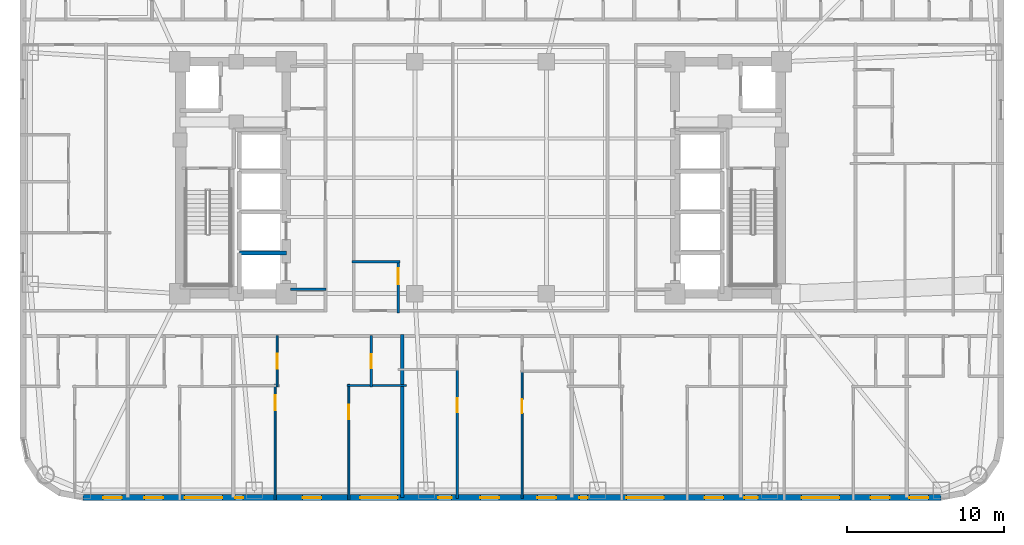
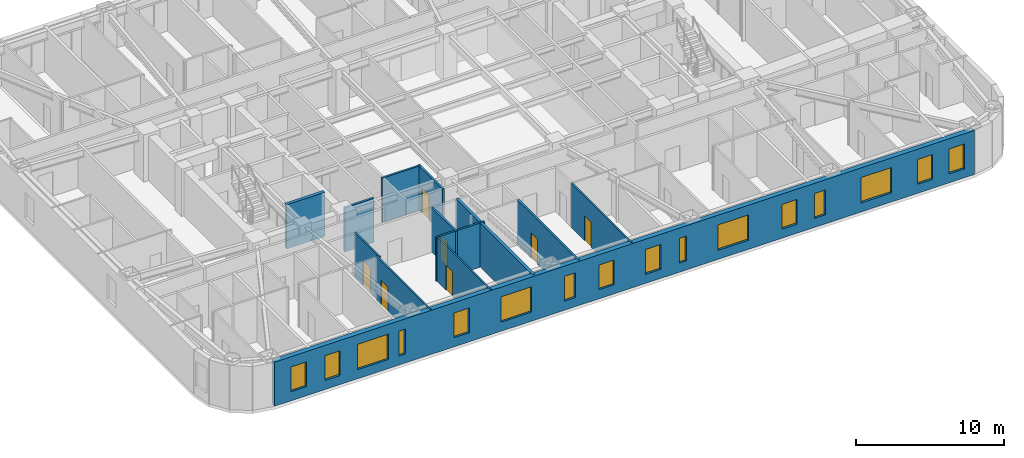
# One storey, part 3 of 12: 16 windows, 13 walls, 7 doors, 23 openings.
"""IFC4 building model written with IfcOpenShell, lengths in metres."""

from ifc_helpers import new_model, si_unit, direction, frame, frame_2d, origin, place, context, subcontext, project, spatial, rectangle, extrude, material, layer, layer_set, type_object, element, fill, save


model = new_model("IFC4")

# Units and contexts
model_context = context("Model", 3, precision=1e-05, world=origin(), true_north=direction((0.0, 1.0)))
body_context = subcontext(model_context, "Body", "Model", "MODEL_VIEW")
ifc_project = project(units=[si_unit("LENGTHUNIT", "METRE"), si_unit("AREAUNIT", "SQUARE_METRE"), si_unit("VOLUMEUNIT", "CUBIC_METRE"), si_unit("PLANEANGLEUNIT", "RADIAN"), si_unit("MASSUNIT", "GRAM", prefix="KILO")], contexts=[model_context])

# Site, building, storey
site_placement = place(None, origin())
site = spatial("IfcSite", under=ifc_project, at=site_placement, CompositionType="ELEMENT")
building_placement = place(site_placement, origin())
building = spatial("IfcBuilding", under=site, at=building_placement, Name="Voryun Gate Residences", CompositionType="ELEMENT")
storey_placement = place(building_placement, frame((0.0, 0.0, 101.39990234375)))
storey = spatial("IfcBuildingStorey", under=building, at=storey_placement, Name="L24", CompositionType="ELEMENT", Elevation=101.39990234375)

# Wall
ifc_material_1 = material(Name="Gypsum acoustic fireboard")
ifc_layer_1 = layer(ifc_material_1, 0.179931640625, Name="W_CORR_RATED_180")
ifc_layer_set_1 = layer_set([ifc_layer_1], Name="Gypsum acoustic fireboard")
wall_type_1 = type_object("IfcWallType", Name="W_CORR_RATED_180", PredefinedType="PARTITIONING", material=ifc_layer_set_1)
wall_1_placement = place(storey_placement, frame((-12.14990234375, -7.1201171875, 0.0), z_axis=(0.0, 0.0, 1.0), x_axis=(1.0, 0.0, 0.0)))
element("IfcWall", 1, at=wall_1_placement, inside=storey, type_object=wall_type_1, Name="Partition wall WP-L24-PLBS-W", PredefinedType="PARTITIONING", context=body_context, shape_type="SweptSolid", body=[
    extrude(rectangle(XDim=2.27001953125, YDim=0.179931640625, at=frame_2d((1.135009765625, 0.0))), origin(), (0.0, 0.0, 1.0), 3.650146484375),
])

# Wall, openings, windows
ifc_material_2 = material(Name="Granite masonry", Category="masonry")
ifc_layer_2 = layer(ifc_material_2, 0.3798828125, Name="W_EXT_GRANITE_380")
ifc_layer_set_2 = layer_set([ifc_layer_2], Name="Granite masonry")
wall_type_2 = type_object("IfcWallType", Name="W_EXT_GRANITE_380", PredefinedType="ELEMENTEDWALL", material=ifc_layer_set_2)
wall_2_placement = place(storey_placement, frame((29.38134765625, -20.409912109375, 0.0), z_axis=(0.0, 0.0, 1.0), x_axis=(-1.0, 0.0, 0.0)))
wall_2 = element("IfcWall", 2, at=wall_2_placement, inside=storey, type_object=wall_type_2, Name="Exterior wall WEXT-L24-01", PredefinedType="ELEMENTEDWALL", context=body_context, shape_type="SweptSolid", body=[
    extrude(rectangle(XDim=54.7626953125, YDim=0.3798828125, at=frame_2d((27.38134765625, 0.0))), origin(), (0.0, 0.0, 1.0), 3.650146484375),
])
opening_1_placement = place(wall_2_placement, frame((6.495361328125, 0.0, 0.75)))
opening_1 = element("IfcOpeningElement", 3, at=opening_1_placement, cuts=wall_2, Name="Opening WN2", PredefinedType="OPENING", context=body_context, shape_type="SweptSolid", body=[
    extrude(rectangle(XDim=2.39990234375, YDim=2.10009765625, at=frame_2d((1.199951171875, 1.050048828125))), frame((0.0, 0.199951171875, 0.0), z_axis=(0.0, -1.0, 0.0), x_axis=(1.0, 0.0, 0.0)), (0.0, 0.0, 1.0), 0.39990234375),
])
opening_2_placement = place(wall_2_placement, frame((17.68603515625, 0.0, 0.75)))
opening_2 = element("IfcOpeningElement", 4, at=opening_2_placement, cuts=wall_2, Name="Opening WN2", PredefinedType="OPENING", context=body_context, shape_type="SweptSolid", body=[
    extrude(rectangle(XDim=2.39990234375, YDim=2.10009765625, at=frame_2d((1.199951171875, 1.050048828125))), frame((0.0, 0.199951171875, 0.0), z_axis=(0.0, -1.0, 0.0), x_axis=(1.0, 0.0, 0.0)), (0.0, 0.0, 1.0), 0.39990234375),
])
opening_3_placement = place(wall_2_placement, frame((34.676513671875, 0.0, 0.75)))
opening_3 = element("IfcOpeningElement", 5, at=opening_3_placement, cuts=wall_2, Name="Opening WN2", PredefinedType="OPENING", context=body_context, shape_type="SweptSolid", body=[
    extrude(rectangle(XDim=2.39990234375, YDim=2.10009765625, at=frame_2d((1.199951171875, 1.050048828125))), frame((0.0, 0.199951171875, 0.0), z_axis=(0.0, -1.0, 0.0), x_axis=(1.0, 0.0, 0.0)), (0.0, 0.0, 1.0), 0.39990234375),
])
opening_4_placement = place(wall_2_placement, frame((45.8671875, 0.0, 0.75)))
opening_4 = element("IfcOpeningElement", 6, at=opening_4_placement, cuts=wall_2, Name="Opening WN2", PredefinedType="OPENING", context=body_context, shape_type="SweptSolid", body=[
    extrude(rectangle(XDim=2.39990234375, YDim=2.10009765625, at=frame_2d((1.199951171875, 1.050048828125))), frame((0.0, 0.199951171875, 0.0), z_axis=(0.0, -1.0, 0.0), x_axis=(1.0, 0.0, 0.0)), (0.0, 0.0, 1.0), 0.39990234375),
])
opening_5_placement = place(wall_2_placement, frame((52.281494140625, 0.0, 0.75)))
opening_5 = element("IfcOpeningElement", 7, at=opening_5_placement, cuts=wall_2, Name="Opening WN6", PredefinedType="OPENING", context=body_context, shape_type="SweptSolid", body=[
    extrude(rectangle(XDim=1.199951171875, YDim=2.050048828125, at=frame_2d((0.60009765625, 1.02490234375))), frame((0.0, 0.199951171875, 0.0), z_axis=(0.0, -1.0, 0.0), x_axis=(1.0, 0.0, 0.0)), (0.0, 0.0, 1.0), 0.39990234375),
])
opening_6_placement = place(wall_2_placement, frame((49.640869140625, 0.0, 0.75)))
opening_6 = element("IfcOpeningElement", 8, at=opening_6_placement, cuts=wall_2, Name="Opening WN6", PredefinedType="OPENING", context=body_context, shape_type="SweptSolid", body=[
    extrude(rectangle(XDim=1.199951171875, YDim=2.050048828125, at=frame_2d((0.60009765625, 1.02490234375))), frame((0.0, 0.199951171875, 0.0), z_axis=(0.0, -1.0, 0.0), x_axis=(1.0, 0.0, 0.0)), (0.0, 0.0, 1.0), 0.39990234375),
])
opening_7_placement = place(wall_2_placement, frame((39.542724609375, 0.0, 0.75)))
opening_7 = element("IfcOpeningElement", 9, at=opening_7_placement, cuts=wall_2, Name="Opening WN6", PredefinedType="OPENING", context=body_context, shape_type="SweptSolid", body=[
    extrude(rectangle(XDim=1.199951171875, YDim=2.050048828125, at=frame_2d((0.60009765625, 1.02490234375))), frame((0.0, 0.199951171875, 0.0), z_axis=(0.0, -1.0, 0.0), x_axis=(1.0, 0.0, 0.0)), (0.0, 0.0, 1.0), 0.39990234375),
])
opening_8_placement = place(wall_2_placement, frame((44.537841796875, 0.0, 0.75)))
opening_8 = element("IfcOpeningElement", 10, at=opening_8_placement, cuts=wall_2, Name="Opening WN10", PredefinedType="OPENING", context=body_context, shape_type="SweptSolid", body=[
    extrude(rectangle(XDim=0.52001953125, YDim=2.050048828125, at=frame_2d((0.260009765625, 1.02490234375))), frame((0.0, 0.199951171875, 0.0), z_axis=(0.0, -1.0, 0.0), x_axis=(1.0, 0.0, 0.0)), (0.0, 0.0, 1.0), 0.39990234375),
])
opening_9_placement = place(wall_2_placement, frame((28.206298828125, 0.0, 0.75)))
opening_9 = element("IfcOpeningElement", 11, at=opening_9_placement, cuts=wall_2, Name="Opening WN6", PredefinedType="OPENING", context=body_context, shape_type="SweptSolid", body=[
    extrude(rectangle(XDim=1.199951171875, YDim=2.050048828125, at=frame_2d((0.60009765625, 1.02490234375))), frame((0.0, 0.199951171875, 0.0), z_axis=(0.0, -1.0, 0.0), x_axis=(1.0, 0.0, 0.0)), (0.0, 0.0, 1.0), 0.39990234375),
])
opening_10_placement = place(wall_2_placement, frame((31.2412109375, 0.0, 0.75)))
opening_10 = element("IfcOpeningElement", 12, at=opening_10_placement, cuts=wall_2, Name="Opening WN9", PredefinedType="OPENING", context=body_context, shape_type="SweptSolid", body=[
    extrude(rectangle(XDim=0.85009765625, YDim=2.050048828125, at=frame_2d((0.425048828125, 1.02490234375))), frame((0.0, 0.199951171875, 0.0), z_axis=(0.0, -1.0, 0.0), x_axis=(1.0, 0.0, 0.0)), (0.0, 0.0, 1.0), 0.39990234375),
])
opening_11_placement = place(wall_2_placement, frame((24.561279296875, 0.0, 0.75)))
opening_11 = element("IfcOpeningElement", 13, at=opening_11_placement, cuts=wall_2, Name="Opening WN6", PredefinedType="OPENING", context=body_context, shape_type="SweptSolid", body=[
    extrude(rectangle(XDim=1.199951171875, YDim=2.050048828125, at=frame_2d((0.60009765625, 1.02490234375))), frame((0.0, 0.199951171875, 0.0), z_axis=(0.0, -1.0, 0.0), x_axis=(1.0, 0.0, 0.0)), (0.0, 0.0, 1.0), 0.39990234375),
])
opening_12_placement = place(wall_2_placement, frame((22.561279296875, 0.0, 0.75)))
opening_12 = element("IfcOpeningElement", 14, at=opening_12_placement, cuts=wall_2, Name="Opening WN10", PredefinedType="OPENING", context=body_context, shape_type="SweptSolid", body=[
    extrude(rectangle(XDim=0.52001953125, YDim=2.050048828125, at=frame_2d((0.260009765625, 1.02490234375))), frame((0.0, 0.199951171875, 0.0), z_axis=(0.0, -1.0, 0.0), x_axis=(1.0, 0.0, 0.0)), (0.0, 0.0, 1.0), 0.39990234375),
])
opening_13_placement = place(wall_2_placement, frame((13.88623046875, 0.0, 0.75)))
opening_13 = element("IfcOpeningElement", 15, at=opening_13_placement, cuts=wall_2, Name="Opening WN6", PredefinedType="OPENING", context=body_context, shape_type="SweptSolid", body=[
    extrude(rectangle(XDim=1.199951171875, YDim=2.050048828125, at=frame_2d((0.60009765625, 1.02490234375))), frame((0.0, 0.199951171875, 0.0), z_axis=(0.0, -1.0, 0.0), x_axis=(1.0, 0.0, 0.0)), (0.0, 0.0, 1.0), 0.39990234375),
])
opening_14_placement = place(wall_2_placement, frame((11.6943359375, 0.0, 0.75)))
opening_14 = element("IfcOpeningElement", 16, at=opening_14_placement, cuts=wall_2, Name="Opening WN9", PredefinedType="OPENING", context=body_context, shape_type="SweptSolid", body=[
    extrude(rectangle(XDim=0.85009765625, YDim=2.050048828125, at=frame_2d((0.425048828125, 1.02490234375))), frame((0.0, 0.199951171875, 0.0), z_axis=(0.0, -1.0, 0.0), x_axis=(1.0, 0.0, 0.0)), (0.0, 0.0, 1.0), 0.39990234375),
])
opening_15_placement = place(wall_2_placement, frame((3.286376953125, 0.0, 0.75)))
opening_15 = element("IfcOpeningElement", 17, at=opening_15_placement, cuts=wall_2, Name="Opening WN6", PredefinedType="OPENING", context=body_context, shape_type="SweptSolid", body=[
    extrude(rectangle(XDim=1.199951171875, YDim=2.050048828125, at=frame_2d((0.60009765625, 1.02490234375))), frame((0.0, 0.199951171875, 0.0), z_axis=(0.0, -1.0, 0.0), x_axis=(1.0, 0.0, 0.0)), (0.0, 0.0, 1.0), 0.39990234375),
])
opening_16_placement = place(wall_2_placement, frame((0.815673828125, 0.0, 0.75)))
opening_16 = element("IfcOpeningElement", 18, at=opening_16_placement, cuts=wall_2, Name="Opening WN6", PredefinedType="OPENING", context=body_context, shape_type="SweptSolid", body=[
    extrude(rectangle(XDim=1.199951171875, YDim=2.050048828125, at=frame_2d((0.60009765625, 1.02490234375))), frame((0.0, 0.199951171875, 0.0), z_axis=(0.0, -1.0, 0.0), x_axis=(1.0, 0.0, 0.0)), (0.0, 0.0, 1.0), 0.39990234375),
])
ifc_material_3 = material(Name="Laminated low-E glass", Category="glass")
window_type_1 = type_object("IfcWindowType", Name="WN_PAGODA_LANCET_520", PartitioningType="SINGLE_PANEL", PredefinedType="WINDOW", material=ifc_material_3)
window_1_placement = place(opening_8_placement, origin())
window_1 = element("IfcWindow", 19, at=window_1_placement, inside=storey, type_object=window_type_1, Name="Window WN-L24-DWFIX-20", OverallHeight=2.050048828125, OverallWidth=0.52001953125, PartitioningType="SINGLE_PANEL", PredefinedType="WINDOW", context=body_context, shape_type="SweptSolid", body=[
    extrude(rectangle(XDim=0.52001953125, YDim=2.050048828125, at=frame_2d((0.260009765625, 1.02490234375))), frame((0.0, 0.030029296875, 0.0), z_axis=(0.0, -1.0, 0.0), x_axis=(1.0, 0.0, 0.0)), (0.0, 0.0, 1.0), 0.06005859375),
])
fill(opening_8, window_1)
window_2_placement = place(opening_12_placement, origin())
window_2 = element("IfcWindow", 20, at=window_2_placement, inside=storey, type_object=window_type_1, Name="Window WN-L24-DWFIX-24", OverallHeight=2.050048828125, OverallWidth=0.52001953125, PartitioningType="SINGLE_PANEL", PredefinedType="WINDOW", context=body_context, shape_type="SweptSolid", body=[
    extrude(rectangle(XDim=0.52001953125, YDim=2.050048828125, at=frame_2d((0.260009765625, 1.02490234375))), frame((0.0, 0.030029296875, 0.0), z_axis=(0.0, -1.0, 0.0), x_axis=(1.0, 0.0, 0.0)), (0.0, 0.0, 1.0), 0.06005859375),
])
fill(opening_12, window_2)
ifc_material_4 = material(Name="Laminated low-E glass", Category="glass")
window_type_2 = type_object("IfcWindowType", Name="WN_POD_SLOT_1200", PartitioningType="SINGLE_PANEL", PredefinedType="WINDOW", material=ifc_material_4)
window_3_placement = place(opening_5_placement, origin())
window_3 = element("IfcWindow", 21, at=window_3_placement, inside=storey, type_object=window_type_2, Name="Window WN-L24-DWFIX-17", OverallHeight=2.050048828125, OverallWidth=1.199951171875, PartitioningType="SINGLE_PANEL", PredefinedType="WINDOW", context=body_context, shape_type="SweptSolid", body=[
    extrude(rectangle(XDim=1.199951171875, YDim=2.050048828125, at=frame_2d((0.60009765625, 1.02490234375))), frame((0.0, 0.030029296875, 0.0), z_axis=(0.0, -1.0, 0.0), x_axis=(1.0, 0.0, 0.0)), (0.0, 0.0, 1.0), 0.06005859375),
])
fill(opening_5, window_3)
window_4_placement = place(opening_6_placement, origin())
window_4 = element("IfcWindow", 22, at=window_4_placement, inside=storey, type_object=window_type_2, Name="Window WN-L24-DWFIX-18", OverallHeight=2.050048828125, OverallWidth=1.199951171875, PartitioningType="SINGLE_PANEL", PredefinedType="WINDOW", context=body_context, shape_type="SweptSolid", body=[
    extrude(rectangle(XDim=1.199951171875, YDim=2.050048828125, at=frame_2d((0.60009765625, 1.02490234375))), frame((0.0, 0.030029296875, 0.0), z_axis=(0.0, -1.0, 0.0), x_axis=(1.0, 0.0, 0.0)), (0.0, 0.0, 1.0), 0.06005859375),
])
fill(opening_6, window_4)
window_5_placement = place(opening_7_placement, origin())
window_5 = element("IfcWindow", 23, at=window_5_placement, inside=storey, type_object=window_type_2, Name="Window WN-L24-DWFIX-19", OverallHeight=2.050048828125, OverallWidth=1.199951171875, PartitioningType="SINGLE_PANEL", PredefinedType="WINDOW", context=body_context, shape_type="SweptSolid", body=[
    extrude(rectangle(XDim=1.199951171875, YDim=2.050048828125, at=frame_2d((0.60009765625, 1.02490234375))), frame((0.0, 0.030029296875, 0.0), z_axis=(0.0, -1.0, 0.0), x_axis=(1.0, 0.0, 0.0)), (0.0, 0.0, 1.0), 0.06005859375),
])
fill(opening_7, window_5)
window_6_placement = place(opening_9_placement, origin())
window_6 = element("IfcWindow", 24, at=window_6_placement, inside=storey, type_object=window_type_2, Name="Window WN-L24-DWFIX-21", OverallHeight=2.050048828125, OverallWidth=1.199951171875, PartitioningType="SINGLE_PANEL", PredefinedType="WINDOW", context=body_context, shape_type="SweptSolid", body=[
    extrude(rectangle(XDim=1.199951171875, YDim=2.050048828125, at=frame_2d((0.60009765625, 1.02490234375))), frame((0.0, 0.030029296875, 0.0), z_axis=(0.0, -1.0, 0.0), x_axis=(1.0, 0.0, 0.0)), (0.0, 0.0, 1.0), 0.06005859375),
])
fill(opening_9, window_6)
window_7_placement = place(opening_11_placement, origin())
window_7 = element("IfcWindow", 25, at=window_7_placement, inside=storey, type_object=window_type_2, Name="Window WN-L24-DWFIX-23", OverallHeight=2.050048828125, OverallWidth=1.199951171875, PartitioningType="SINGLE_PANEL", PredefinedType="WINDOW", context=body_context, shape_type="SweptSolid", body=[
    extrude(rectangle(XDim=1.199951171875, YDim=2.050048828125, at=frame_2d((0.60009765625, 1.02490234375))), frame((0.0, 0.030029296875, 0.0), z_axis=(0.0, -1.0, 0.0), x_axis=(1.0, 0.0, 0.0)), (0.0, 0.0, 1.0), 0.06005859375),
])
fill(opening_11, window_7)
window_8_placement = place(opening_13_placement, origin())
window_8 = element("IfcWindow", 26, at=window_8_placement, inside=storey, type_object=window_type_2, Name="Window WN-L24-DWFIX-25", OverallHeight=2.050048828125, OverallWidth=1.199951171875, PartitioningType="SINGLE_PANEL", PredefinedType="WINDOW", context=body_context, shape_type="SweptSolid", body=[
    extrude(rectangle(XDim=1.199951171875, YDim=2.050048828125, at=frame_2d((0.60009765625, 1.02490234375))), frame((0.0, 0.030029296875, 0.0), z_axis=(0.0, -1.0, 0.0), x_axis=(1.0, 0.0, 0.0)), (0.0, 0.0, 1.0), 0.06005859375),
])
fill(opening_13, window_8)
window_9_placement = place(opening_15_placement, origin())
window_9 = element("IfcWindow", 27, at=window_9_placement, inside=storey, type_object=window_type_2, Name="Window WN-L24-DWFIX-27", OverallHeight=2.050048828125, OverallWidth=1.199951171875, PartitioningType="SINGLE_PANEL", PredefinedType="WINDOW", context=body_context, shape_type="SweptSolid", body=[
    extrude(rectangle(XDim=1.199951171875, YDim=2.050048828125, at=frame_2d((0.60009765625, 1.02490234375))), frame((0.0, 0.030029296875, 0.0), z_axis=(0.0, -1.0, 0.0), x_axis=(1.0, 0.0, 0.0)), (0.0, 0.0, 1.0), 0.06005859375),
])
fill(opening_15, window_9)
window_10_placement = place(opening_16_placement, origin())
window_10 = element("IfcWindow", 28, at=window_10_placement, inside=storey, type_object=window_type_2, Name="Window WN-L24-DWFIX-28", OverallHeight=2.050048828125, OverallWidth=1.199951171875, PartitioningType="SINGLE_PANEL", PredefinedType="WINDOW", context=body_context, shape_type="SweptSolid", body=[
    extrude(rectangle(XDim=1.199951171875, YDim=2.050048828125, at=frame_2d((0.60009765625, 1.02490234375))), frame((0.0, 0.030029296875, 0.0), z_axis=(0.0, -1.0, 0.0), x_axis=(1.0, 0.0, 0.0)), (0.0, 0.0, 1.0), 0.06005859375),
])
fill(opening_16, window_10)
ifc_material_5 = material(Name="Laminated low-E glass", Category="glass")
window_type_3 = type_object("IfcWindowType", Name="WN_RES_CASEMENT_850", PartitioningType="SINGLE_PANEL", PredefinedType="WINDOW", material=ifc_material_5)
window_11_placement = place(opening_10_placement, origin())
window_11 = element("IfcWindow", 29, at=window_11_placement, inside=storey, type_object=window_type_3, Name="Window WN-L24-DWFIX-22", OverallHeight=2.050048828125, OverallWidth=0.85009765625, PartitioningType="SINGLE_PANEL", PredefinedType="WINDOW", context=body_context, shape_type="SweptSolid", body=[
    extrude(rectangle(XDim=0.85009765625, YDim=2.050048828125, at=frame_2d((0.425048828125, 1.02490234375))), frame((0.0, 0.030029296875, 0.0), z_axis=(0.0, -1.0, 0.0), x_axis=(1.0, 0.0, 0.0)), (0.0, 0.0, 1.0), 0.06005859375),
])
fill(opening_10, window_11)
window_12_placement = place(opening_14_placement, origin())
window_12 = element("IfcWindow", 30, at=window_12_placement, inside=storey, type_object=window_type_3, Name="Window WN-L24-DWFIX-26", OverallHeight=2.050048828125, OverallWidth=0.85009765625, PartitioningType="SINGLE_PANEL", PredefinedType="WINDOW", context=body_context, shape_type="SweptSolid", body=[
    extrude(rectangle(XDim=0.85009765625, YDim=2.050048828125, at=frame_2d((0.425048828125, 1.02490234375))), frame((0.0, 0.030029296875, 0.0), z_axis=(0.0, -1.0, 0.0), x_axis=(1.0, 0.0, 0.0)), (0.0, 0.0, 1.0), 0.06005859375),
])
fill(opening_14, window_12)
ifc_material_6 = material(Name="Laminated low-E glass", Category="glass")
window_type_4 = type_object("IfcWindowType", Name="WN_RES_WIDE_2400", PartitioningType="SINGLE_PANEL", PredefinedType="WINDOW", material=ifc_material_6)
window_13_placement = place(opening_1_placement, origin())
window_13 = element("IfcWindow", 31, at=window_13_placement, inside=storey, type_object=window_type_4, Name="Window WN-WEXT-L24-01-01", OverallHeight=2.10009765625, OverallWidth=2.39990234375, PartitioningType="SINGLE_PANEL", PredefinedType="WINDOW", context=body_context, shape_type="SweptSolid", body=[
    extrude(rectangle(XDim=2.39990234375, YDim=2.10009765625, at=frame_2d((1.199951171875, 1.050048828125))), frame((0.0, 0.030029296875, 0.0), z_axis=(0.0, -1.0, 0.0), x_axis=(1.0, 0.0, 0.0)), (0.0, 0.0, 1.0), 0.06005859375),
])
fill(opening_1, window_13)
window_14_placement = place(opening_2_placement, origin())
window_14 = element("IfcWindow", 32, at=window_14_placement, inside=storey, type_object=window_type_4, Name="Window WN-WEXT-L24-01-02", OverallHeight=2.10009765625, OverallWidth=2.39990234375, PartitioningType="SINGLE_PANEL", PredefinedType="WINDOW", context=body_context, shape_type="SweptSolid", body=[
    extrude(rectangle(XDim=2.39990234375, YDim=2.10009765625, at=frame_2d((1.199951171875, 1.050048828125))), frame((0.0, 0.030029296875, 0.0), z_axis=(0.0, -1.0, 0.0), x_axis=(1.0, 0.0, 0.0)), (0.0, 0.0, 1.0), 0.06005859375),
])
fill(opening_2, window_14)
window_15_placement = place(opening_3_placement, origin())
window_15 = element("IfcWindow", 33, at=window_15_placement, inside=storey, type_object=window_type_4, Name="Window WN-WEXT-L24-01-03", OverallHeight=2.10009765625, OverallWidth=2.39990234375, PartitioningType="SINGLE_PANEL", PredefinedType="WINDOW", context=body_context, shape_type="SweptSolid", body=[
    extrude(rectangle(XDim=2.39990234375, YDim=2.10009765625, at=frame_2d((1.199951171875, 1.050048828125))), frame((0.0, 0.030029296875, 0.0), z_axis=(0.0, -1.0, 0.0), x_axis=(1.0, 0.0, 0.0)), (0.0, 0.0, 1.0), 0.06005859375),
])
fill(opening_3, window_15)
window_16_placement = place(opening_4_placement, origin())
window_16 = element("IfcWindow", 34, at=window_16_placement, inside=storey, type_object=window_type_4, Name="Window WN-WEXT-L24-01-04", OverallHeight=2.10009765625, OverallWidth=2.39990234375, PartitioningType="SINGLE_PANEL", PredefinedType="WINDOW", context=body_context, shape_type="SweptSolid", body=[
    extrude(rectangle(XDim=2.39990234375, YDim=2.10009765625, at=frame_2d((1.199951171875, 1.050048828125))), frame((0.0, 0.030029296875, 0.0), z_axis=(0.0, -1.0, 0.0), x_axis=(1.0, 0.0, 0.0)), (0.0, 0.0, 1.0), 0.06005859375),
])
fill(opening_4, window_16)

# Walls
ifc_material_7 = material(Name="Concrete C40/50", Category="concrete")
ifc_layer_3 = layer(ifc_material_7, 0.219970703125, Name="W_PARTY_ACOUSTIC_220")
ifc_layer_set_3 = layer_set([ifc_layer_3], Name="Concrete C40/50")
wall_type_3 = type_object("IfcWallType", Name="W_PARTY_ACOUSTIC_220", PredefinedType="PARTITIONING", material=ifc_layer_set_3)
wall_3_placement = place(storey_placement, frame((-5.0, -20.409912109375, 0.0), z_axis=(0.0, 0.0, 1.0), x_axis=(0.0, 1.0, 0.0)))
element("IfcWall", 35, at=wall_3_placement, inside=storey, type_object=wall_type_3, Name="Partition wall WP-L24-SPTY-3", PredefinedType="PARTITIONING", context=body_context, shape_type="SweptSolid", body=[
    extrude(rectangle(XDim=10.389892578125, YDim=0.219970703125, at=frame_2d((5.19482421875, 0.0))), origin(), (0.0, 0.0, 1.0), 3.650146484375),
])
ifc_material_8 = material(Name="Concrete C50/60", Category="concrete")
ifc_layer_4 = layer(ifc_material_8, 0.25, Name="W_SHAFT_RC250")
ifc_layer_set_4 = layer_set([ifc_layer_4], Name="Concrete C50/60")
wall_type_4 = type_object("IfcWallType", Name="W_SHAFT_RC250", PredefinedType="SOLIDWALL", material=ifc_layer_set_4)
wall_4_placement = place(storey_placement, frame((-12.39990234375, -4.800048828125, 0.0), z_axis=(0.0, 0.0, 1.0), x_axis=(-1.0, 0.0, 0.0)))
element("IfcWall", 36, at=wall_4_placement, inside=storey, type_object=wall_type_4, Name="Lift shaft wall WSH-L24-EL-P1-N", PredefinedType="SOLIDWALL", context=body_context, shape_type="SweptSolid", body=[
    extrude(rectangle(XDim=3.0, YDim=0.25, at=frame_2d((1.5, 0.0))), origin(), (0.0, 0.0, 1.0), 3.650146484375),
])

# Wall, opening, door
ifc_material_9 = material(Name="Gypsum acoustic partition")
ifc_layer_5 = layer(ifc_material_9, 0.125, Name="W_UNIT_PART_125")
ifc_layer_set_5 = layer_set([ifc_layer_5], Name="Gypsum acoustic partition")
wall_type_5 = type_object("IfcWallType", Name="W_UNIT_PART_125", PredefinedType="PARTITIONING", material=ifc_layer_set_5)
wall_5_placement = place(storey_placement, frame((-13.113037109375, -20.56005859375, 0.0), z_axis=(0.0, 0.0, 1.0), x_axis=(0.0, 1.0, 0.0)))
wall_5 = element("IfcWall", 37, at=wall_5_placement, inside=storey, type_object=wall_type_5, Name="Partition wall WP-L24-S3-OVL", PredefinedType="PARTITIONING", context=body_context, shape_type="SweptSolid", body=[
    extrude(rectangle(XDim=7.379150390625, YDim=0.125, at=frame_2d((3.689453125, 0.0))), origin(), (0.0, 0.0, 1.0), 3.650146484375),
])
opening_17_placement = place(wall_5_placement, frame((5.723388671875, 0.0, 0.0)))
opening_17 = element("IfcOpeningElement", 38, at=opening_17_placement, cuts=wall_5, Name="Opening D-INT-1", PredefinedType="OPENING", context=body_context, shape_type="SweptSolid", body=[
    extrude(rectangle(XDim=0.949951171875, YDim=2.050048828125, at=frame_2d((0.47509765625, 1.02490234375))), frame((0.0, 0.072509765625, 0.0), z_axis=(0.0, -1.0, 0.0), x_axis=(1.0, 0.0, 0.0)), (0.0, 0.0, 1.0), 0.14501953125),
])
ifc_material_10 = material(Name="Architectural oak veneer")
door_type_1 = type_object("IfcDoorType", Name="DR_INT_ROOM_950", OperationType="NOTDEFINED", PredefinedType="DOOR", material=ifc_material_10)
door_1_placement = place(opening_17_placement, origin())
door_1 = element("IfcDoor", 39, at=door_1_placement, inside=storey, type_object=door_type_1, Name="Door DR-L24-S3-DB2", OperationType="SINGLE_SWING_LEFT", OverallHeight=2.050048828125, OverallWidth=0.949951171875, PredefinedType="DOOR", context=body_context, shape_type="SweptSolid", body=[
    extrude(rectangle(XDim=0.949951171875, YDim=2.050048828125, at=frame_2d((0.47509765625, 1.02490234375))), frame((0.0, 0.02490234375, 0.0), z_axis=(0.0, -1.0, 0.0), x_axis=(1.0, 0.0, 0.0)), (0.0, 0.0, 1.0), 0.050048828125),
])
fill(opening_17, door_1)

wall_6_placement = place(storey_placement, frame((-8.409912109375, -20.56005859375, 0.0), z_axis=(0.0, 0.0, 1.0), x_axis=(0.0, 1.0, 0.0)))
wall_6 = element("IfcWall", 40, at=wall_6_placement, inside=storey, type_object=wall_type_5, Name="Partition wall WP-L24-S3-OVR", PredefinedType="PARTITIONING", context=body_context, shape_type="SweptSolid", body=[
    extrude(rectangle(XDim=7.379150390625, YDim=0.125, at=frame_2d((3.689453125, 0.0))), origin(), (0.0, 0.0, 1.0), 3.650146484375),
])
opening_18_placement = place(wall_6_placement, frame((5.157958984375, 0.0, 0.0)))
opening_18 = element("IfcOpeningElement", 41, at=opening_18_placement, cuts=wall_6, Name="Opening D-INT-2", PredefinedType="OPENING", context=body_context, shape_type="SweptSolid", body=[
    extrude(rectangle(XDim=0.89990234375, YDim=2.050048828125, at=frame_2d((0.449951171875, 1.02490234375))), frame((0.0, 0.072509765625, 0.0), z_axis=(0.0, -1.0, 0.0), x_axis=(1.0, 0.0, 0.0)), (0.0, 0.0, 1.0), 0.14501953125),
])
ifc_material_11 = material(Name="Architectural oak veneer")
door_type_2 = type_object("IfcDoorType", Name="DR_INT_BATH_900", OperationType="NOTDEFINED", PredefinedType="DOOR", material=ifc_material_11)
door_2_placement = place(opening_18_placement, origin())
door_2 = element("IfcDoor", 42, at=door_2_placement, inside=storey, type_object=door_type_2, Name="Door DR-L24-S3-DMB", OperationType="SINGLE_SWING_RIGHT", OverallHeight=2.050048828125, OverallWidth=0.89990234375, PredefinedType="DOOR", context=body_context, shape_type="SweptSolid", body=[
    extrude(rectangle(XDim=0.89990234375, YDim=2.050048828125, at=frame_2d((0.449951171875, 1.02490234375))), frame((0.0, 0.02490234375, 0.0), z_axis=(0.0, -1.0, 0.0), x_axis=(1.0, 0.0, 0.0)), (0.0, 0.0, 1.0), 0.050048828125),
])
fill(opening_18, door_2)

wall_7_placement = place(storey_placement, frame((-12.985107421875, -13.341064453125, 0.0), z_axis=(0.0, 0.0, 1.0), x_axis=(0.0, 1.0, 0.0)))
wall_7 = element("IfcWall", 43, at=wall_7_placement, inside=storey, type_object=wall_type_5, Name="Partition wall WP-L24-S3-IVK", PredefinedType="PARTITIONING", context=body_context, shape_type="SweptSolid", body=[
    extrude(rectangle(XDim=3.260986328125, YDim=0.125, at=frame_2d((1.63037109375, 0.0))), origin(), (0.0, 0.0, 1.0), 3.650146484375),
])
opening_19_placement = place(wall_7_placement, frame((1.155517578125, 0.0, 0.0)))
opening_19 = element("IfcOpeningElement", 44, at=opening_19_placement, cuts=wall_7, Name="Opening D-INT-1", PredefinedType="OPENING", context=body_context, shape_type="SweptSolid", body=[
    extrude(rectangle(XDim=0.949951171875, YDim=2.050048828125, at=frame_2d((0.47509765625, 1.02490234375))), frame((0.0, 0.072509765625, 0.0), z_axis=(0.0, -1.0, 0.0), x_axis=(1.0, 0.0, 0.0)), (0.0, 0.0, 1.0), 0.14501953125),
])
door_3_placement = place(opening_19_placement, origin())
door_3 = element("IfcDoor", 45, at=door_3_placement, inside=storey, type_object=door_type_1, Name="Door DR-L24-S3-DK", OperationType="SINGLE_SWING_LEFT", OverallHeight=2.050048828125, OverallWidth=0.949951171875, PredefinedType="DOOR", context=body_context, shape_type="SweptSolid", body=[
    extrude(rectangle(XDim=0.949951171875, YDim=2.050048828125, at=frame_2d((0.47509765625, 1.02490234375))), frame((0.0, 0.02490234375, 0.0), z_axis=(0.0, -1.0, 0.0), x_axis=(1.0, 0.0, 0.0)), (0.0, 0.0, 1.0), 0.050048828125),
])
fill(opening_19, door_3)

wall_8_placement = place(storey_placement, frame((2.639892578125, -20.45751953125, 0.0), z_axis=(0.0, 0.0, 1.0), x_axis=(0.0, 1.0, 0.0)))
wall_8 = element("IfcWall", 46, at=wall_8_placement, inside=storey, type_object=wall_type_5, Name="Partition wall WP-L24-S4-RVX1", PredefinedType="PARTITIONING", context=body_context, shape_type="SweptSolid", body=[
    extrude(rectangle(XDim=8.157470703125, YDim=0.125, at=frame_2d((4.07861328125, 0.0))), origin(), (0.0, 0.0, 1.0), 3.650146484375),
])
opening_20_placement = place(wall_8_placement, frame((5.423583984375, 0.0, 0.0)))
opening_20 = element("IfcOpeningElement", 47, at=opening_20_placement, cuts=wall_8, Name="Opening D-INT-2", PredefinedType="OPENING", context=body_context, shape_type="SweptSolid", body=[
    extrude(rectangle(XDim=0.89990234375, YDim=2.050048828125, at=frame_2d((0.449951171875, 1.02490234375))), frame((0.0, 0.072509765625, 0.0), z_axis=(0.0, -1.0, 0.0), x_axis=(1.0, 0.0, 0.0)), (0.0, 0.0, 1.0), 0.14501953125),
])
door_4_placement = place(opening_20_placement, origin())
door_4 = element("IfcDoor", 48, at=door_4_placement, inside=storey, type_object=door_type_2, Name="Door DR-L24-S4-DB2", OperationType="SINGLE_SWING_RIGHT", OverallHeight=2.050048828125, OverallWidth=0.89990234375, PredefinedType="DOOR", context=body_context, shape_type="SweptSolid", body=[
    extrude(rectangle(XDim=0.89990234375, YDim=2.050048828125, at=frame_2d((0.449951171875, 1.02490234375))), frame((0.0, 0.02490234375, 0.0), z_axis=(0.0, -1.0, 0.0), x_axis=(1.0, 0.0, 0.0)), (0.0, 0.0, 1.0), 0.050048828125),
])
fill(opening_20, door_4)

ifc_material_12 = material(Name="Gypsum moisture-resistant partition")
ifc_layer_6 = layer(ifc_material_12, 0.14990234375, Name="W_WET_PLUMB_150")
ifc_layer_set_6 = layer_set([ifc_layer_6], Name="Gypsum moisture-resistant partition")
wall_type_6 = type_object("IfcWallType", Name="W_WET_PLUMB_150", PredefinedType="PLUMBINGWALL", material=ifc_layer_set_6)
wall_9_placement = place(storey_placement, frame((-5.260009765625, -8.6201171875, 0.0), z_axis=(0.0, 0.0, 1.0), x_axis=(0.0, 1.0, 0.0)))
wall_9 = element("IfcWall", 49, at=wall_9_placement, inside=storey, type_object=wall_type_6, Name="Partition wall WP-L24-CMWCX", PredefinedType="PLUMBINGWALL", context=body_context, shape_type="SweptSolid", body=[
    extrude(rectangle(XDim=3.35009765625, YDim=0.14990234375, at=frame_2d((1.675048828125, 0.0))), origin(), (0.0, 0.0, 1.0), 3.650146484375),
])
opening_21_placement = place(wall_9_placement, frame((1.8349609375, 0.0, 0.0)))
opening_21 = element("IfcOpeningElement", 50, at=opening_21_placement, cuts=wall_9, Name="Opening D-AWC-1", PredefinedType="OPENING", context=body_context, shape_type="SweptSolid", body=[
    extrude(rectangle(XDim=1.0, YDim=2.050048828125, at=frame_2d((0.5, 1.02490234375))), frame((0.0, 0.0849609375, 0.0), z_axis=(0.0, -1.0, 0.0), x_axis=(1.0, 0.0, 0.0)), (0.0, 0.0, 1.0), 0.169921875),
])
ifc_material_13 = material(Name="Architectural oak veneer")
door_type_3 = type_object("IfcDoorType", Name="DR_ACC_WC_1000", OperationType="NOTDEFINED", PredefinedType="DOOR", material=ifc_material_13)
door_5_placement = place(opening_21_placement, origin())
door_5 = element("IfcDoor", 51, at=door_5_placement, inside=storey, type_object=door_type_3, Name="Door DR-L24-CMWC", OperationType="SINGLE_SWING_LEFT", OverallHeight=2.050048828125, OverallWidth=1.0, PredefinedType="DOOR", context=body_context, shape_type="SweptSolid", body=[
    extrude(rectangle(XDim=1.0, YDim=2.050048828125, at=frame_2d((0.5, 1.02490234375))), frame((0.0, 0.02490234375, 0.0), z_axis=(0.0, -1.0, 0.0), x_axis=(1.0, 0.0, 0.0)), (0.0, 0.0, 1.0), 0.050048828125),
])
fill(opening_21, door_5)

# Walls
wall_10_placement = place(storey_placement, frame((-8.2099609375, -5.3701171875, 0.0), z_axis=(0.0, 0.0, 1.0), x_axis=(1.0, 0.0, 0.0)))
element("IfcWall", 52, at=wall_10_placement, inside=storey, type_object=wall_type_6, Name="Partition wall WP-L24-CMWCY", PredefinedType="PLUMBINGWALL", context=body_context, shape_type="SweptSolid", body=[
    extrude(rectangle(XDim=3.050048828125, YDim=0.14990234375, at=frame_2d((1.52490234375, 0.0))), origin(), (0.0, 0.0, 1.0), 3.650146484375),
])
wall_11_placement = place(storey_placement, frame((-8.530029296875, -13.260986328125, 0.0), z_axis=(0.0, 0.0, 1.0), x_axis=(1.0, 0.0, 0.0)))
element("IfcWall", 53, at=wall_11_placement, inside=storey, type_object=wall_type_6, Name="Partition wall WP-L24-S3-HZB", PredefinedType="PLUMBINGWALL", context=body_context, shape_type="SweptSolid", body=[
    extrude(rectangle(XDim=3.7900390625, YDim=0.14990234375, at=frame_2d((1.89501953125, 0.0))), origin(), (0.0, 0.0, 1.0), 3.650146484375),
])

# Wall, opening, door
wall_12_placement = place(storey_placement, frame((-6.97998046875, -13.341064453125, 0.0), z_axis=(0.0, 0.0, 1.0), x_axis=(0.0, 1.0, 0.0)))
wall_12 = element("IfcWall", 54, at=wall_12_placement, inside=storey, type_object=wall_type_6, Name="Partition wall WP-L24-S3-IVB", PredefinedType="PLUMBINGWALL", context=body_context, shape_type="SweptSolid", body=[
    extrude(rectangle(XDim=3.260986328125, YDim=0.14990234375, at=frame_2d((1.63037109375, 0.0))), origin(), (0.0, 0.0, 1.0), 3.650146484375),
])
opening_22_placement = place(wall_12_placement, frame((1.180419921875, 0.0, 0.0)))
opening_22 = element("IfcOpeningElement", 55, at=opening_22_placement, cuts=wall_12, Name="Opening D-INT-2", PredefinedType="OPENING", context=body_context, shape_type="SweptSolid", body=[
    extrude(rectangle(XDim=0.89990234375, YDim=2.050048828125, at=frame_2d((0.449951171875, 1.02490234375))), frame((0.0, 0.0849609375, 0.0), z_axis=(0.0, -1.0, 0.0), x_axis=(1.0, 0.0, 0.0)), (0.0, 0.0, 1.0), 0.169921875),
])
door_6_placement = place(opening_22_placement, origin())
door_6 = element("IfcDoor", 56, at=door_6_placement, inside=storey, type_object=door_type_2, Name="Door DR-L24-S3-DB", OperationType="SINGLE_SWING_RIGHT", OverallHeight=2.050048828125, OverallWidth=0.89990234375, PredefinedType="DOOR", context=body_context, shape_type="SweptSolid", body=[
    extrude(rectangle(XDim=0.89990234375, YDim=2.050048828125, at=frame_2d((0.449951171875, 1.02490234375))), frame((0.0, 0.02490234375, 0.0), z_axis=(0.0, -1.0, 0.0), x_axis=(1.0, 0.0, 0.0)), (0.0, 0.0, 1.0), 0.050048828125),
])
fill(opening_22, door_6)

wall_13_placement = place(storey_placement, frame((-1.489990234375, -20.45751953125, 0.0), z_axis=(0.0, 0.0, 1.0), x_axis=(0.0, 1.0, 0.0)))
wall_13 = element("IfcWall", 57, at=wall_13_placement, inside=storey, type_object=wall_type_6, Name="Partition wall WP-L24-S4-LVX1", PredefinedType="PLUMBINGWALL", context=body_context, shape_type="SweptSolid", body=[
    extrude(rectangle(XDim=8.257568359375, YDim=0.14990234375, at=frame_2d((4.12890625, 0.0))), origin(), (0.0, 0.0, 1.0), 3.650146484375),
])
opening_23_placement = place(wall_13_placement, frame((5.49560546875, 0.0, 0.0)))
opening_23 = element("IfcOpeningElement", 58, at=opening_23_placement, cuts=wall_13, Name="Opening D-INT-2", PredefinedType="OPENING", context=body_context, shape_type="SweptSolid", body=[
    extrude(rectangle(XDim=0.89990234375, YDim=2.050048828125, at=frame_2d((0.449951171875, 1.02490234375))), frame((0.0, 0.0849609375, 0.0), z_axis=(0.0, -1.0, 0.0), x_axis=(1.0, 0.0, 0.0)), (0.0, 0.0, 1.0), 0.169921875),
])
door_7_placement = place(opening_23_placement, origin())
door_7 = element("IfcDoor", 59, at=door_7_placement, inside=storey, type_object=door_type_2, Name="Door DR-L24-S4-DMB", OperationType="SINGLE_SWING_LEFT", OverallHeight=2.050048828125, OverallWidth=0.89990234375, PredefinedType="DOOR", context=body_context, shape_type="SweptSolid", body=[
    extrude(rectangle(XDim=0.89990234375, YDim=2.050048828125, at=frame_2d((0.449951171875, 1.02490234375))), frame((0.0, 0.02490234375, 0.0), z_axis=(0.0, -1.0, 0.0), x_axis=(1.0, 0.0, 0.0)), (0.0, 0.0, 1.0), 0.050048828125),
])
fill(opening_23, door_7)

save(model, "model.ifc")
